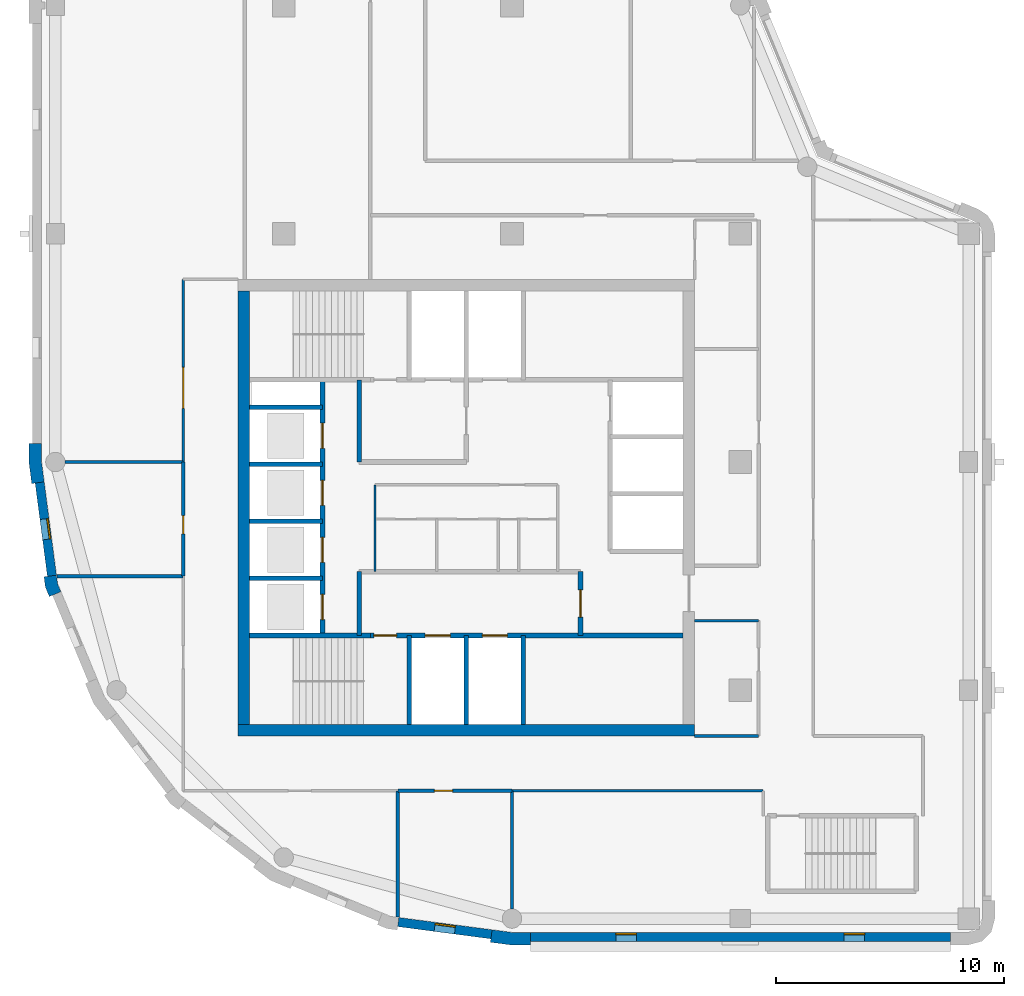
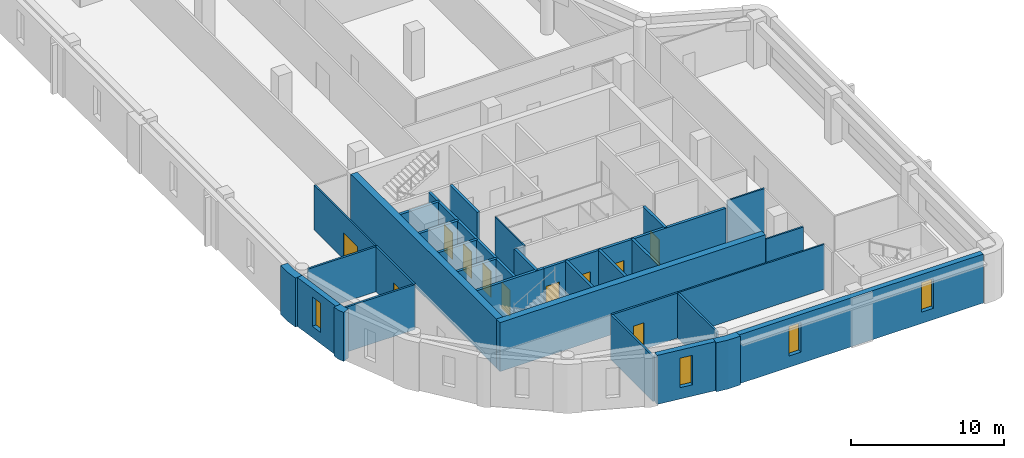
# One storey, part 2 of 8: 32 walls, 11 doors, 4 windows, 15 openings.
"""IFC4 building model written with IfcOpenShell, lengths in metres."""

from ifc_helpers import new_model, si_unit, direction, frame, frame_2d, origin, place, context, subcontext, project, spatial, polyline, rectangle, outline, extrude, material, layer, layer_set, type_object, element, fill, save


model = new_model("IFC4")

# Units and contexts
model_context = context("Model", 3, precision=1e-05, world=origin(), true_north=direction((0.0, 1.0)))
body_context = subcontext(model_context, "Body", "Model", "MODEL_VIEW")
ifc_project = project(units=[si_unit("LENGTHUNIT", "METRE"), si_unit("AREAUNIT", "SQUARE_METRE"), si_unit("VOLUMEUNIT", "CUBIC_METRE"), si_unit("PLANEANGLEUNIT", "RADIAN"), si_unit("MASSUNIT", "GRAM", prefix="KILO")], contexts=[model_context])

# Site, building, storey
site_placement = place(None, origin())
site = spatial("IfcSite", under=ifc_project, at=site_placement, CompositionType="ELEMENT")
building_placement = place(site_placement, origin())
building = spatial("IfcBuilding", under=site, at=building_placement, Name="Qaws Garden Tower", CompositionType="ELEMENT")
storey_placement = place(building_placement, frame((0.0, 0.0, 306.0)))
storey = spatial("IfcBuildingStorey", under=building, at=storey_placement, Name="L74", CompositionType="ELEMENT", Elevation=306.0)

# Wall, openings, windows
ifc_material_1 = material(Name="Clay facing brick masonry", Category="masonry")
ifc_layer_1 = layer(ifc_material_1, 0.39990234375)
ifc_layer_set_1 = layer_set([ifc_layer_1], Name="Clay facing brick masonry")
wall_type_1 = type_object("IfcWallType", Name="Brick infill wall 400", PredefinedType="SOLIDWALL", material=ifc_layer_set_1)
wall_1_placement = place(storey_placement, frame((20.800048828125, -0.800048828125, 0.0), z_axis=(0.0, 0.0, 1.0), x_axis=(1.0, 0.0, 0.0)))
wall_1 = element("IfcWall", 1, at=wall_1_placement, inside=storey, type_object=wall_type_1, Name="E-L74-infill-00", PredefinedType="SOLIDWALL", context=body_context, shape_type="SweptSolid", body=[
    extrude(rectangle(XDim=18.39990234375, YDim=0.39990234375, at=frame_2d((9.199951171875, 0.0))), origin(), (0.0, 0.0, 1.0), 3.89990234375),
])
opening_1_placement = place(wall_1_placement, frame((3.75, 0.0, 0.89990234375)))
opening_1 = element("IfcOpeningElement", 2, at=opening_1_placement, cuts=wall_1, Name="Opening W09", PredefinedType="OPENING", context=body_context, shape_type="SweptSolid", body=[
    extrude(rectangle(XDim=0.89990234375, YDim=2.35009765625, at=frame_2d((0.449951171875, 1.175048828125))), frame((0.0, 0.2099609375, 0.0), z_axis=(0.0, -1.0, 0.0), x_axis=(1.0, 0.0, 0.0)), (0.0, 0.0, 1.0), 0.419921875),
])
opening_2_placement = place(wall_1_placement, frame((13.75, 0.0, 0.89990234375)))
opening_2 = element("IfcOpeningElement", 3, at=opening_2_placement, cuts=wall_1, Name="Opening W09", PredefinedType="OPENING", context=body_context, shape_type="SweptSolid", body=[
    extrude(rectangle(XDim=0.89990234375, YDim=2.35009765625, at=frame_2d((0.449951171875, 1.175048828125))), frame((0.0, 0.2099609375, 0.0), z_axis=(0.0, -1.0, 0.0), x_axis=(1.0, 0.0, 0.0)), (0.0, 0.0, 1.0), 0.419921875),
])
ifc_material_2 = material(Name="Aluminium framed window, clear glazing", Category="aluminium")
window_type = type_object("IfcWindowType", Name="Slit window 900 x 2350", PartitioningType="SINGLE_PANEL", PredefinedType="WINDOW", material=ifc_material_2)
window_1_placement = place(opening_1_placement, origin())
window_1 = element("IfcWindow", 4, at=window_1_placement, inside=storey, type_object=window_type, Name="E-L74-window-00-0", OverallHeight=2.35009765625, OverallWidth=0.89990234375, PartitioningType="SINGLE_PANEL", PredefinedType="WINDOW", context=body_context, shape_type="SweptSolid", body=[
    extrude(rectangle(XDim=0.89990234375, YDim=2.35009765625, at=frame_2d((0.449951171875, 1.175048828125))), frame((0.0, 0.159912109375, 0.0), z_axis=(0.0, -1.0, 0.0), x_axis=(1.0, 0.0, 0.0)), (0.0, 0.0, 1.0), 0.06005859375),
])
fill(opening_1, window_1)
window_2_placement = place(opening_2_placement, origin())
window_2 = element("IfcWindow", 5, at=window_2_placement, inside=storey, type_object=window_type, Name="E-L74-window-01-0", OverallHeight=2.35009765625, OverallWidth=0.89990234375, PartitioningType="SINGLE_PANEL", PredefinedType="WINDOW", context=body_context, shape_type="SweptSolid", body=[
    extrude(rectangle(XDim=0.89990234375, YDim=2.35009765625, at=frame_2d((0.449951171875, 1.175048828125))), frame((0.0, 0.159912109375, 0.0), z_axis=(0.0, -1.0, 0.0), x_axis=(1.0, 0.0, 0.0)), (0.0, 0.0, 1.0), 0.06005859375),
])
fill(opening_2, window_2)

# Wall, opening, window
wall_2_placement = place(storey_placement, frame((-0.688720703125, 19.102294921875, 0.0), z_axis=(0.0, 0.0, 1.0), x_axis=(0.130514280502, -0.991446429508, 0.0)))
wall_2 = element("IfcWall", 6, at=wall_2_placement, inside=storey, type_object=wall_type_1, Name="E-L74-infill-21", PredefinedType="SOLIDWALL", context=body_context, shape_type="SweptSolid", body=[
    extrude(rectangle(XDim=4.120849609375, YDim=0.39990234375, at=frame_2d((2.060546875, 0.0))), origin(), (0.0, 0.0, 1.0), 3.89990234375),
])
opening_3_placement = place(wall_2_placement, frame((1.610595703125, 0.0, 0.89990234375)))
opening_3 = element("IfcOpeningElement", 7, at=opening_3_placement, cuts=wall_2, Name="Opening W09", PredefinedType="OPENING", context=body_context, shape_type="SweptSolid", body=[
    extrude(rectangle(XDim=0.89990234375, YDim=2.35009765625, at=frame_2d((0.449951171875, 1.175048828125))), frame((0.0, 0.2099609375, 0.0), z_axis=(0.0, -1.0, 0.0), x_axis=(1.0, 0.0, 0.0)), (0.0, 0.0, 1.0), 0.419921875),
])
window_3_placement = place(opening_3_placement, origin())
window_3 = element("IfcWindow", 8, at=window_3_placement, inside=storey, type_object=window_type, Name="E-L74-window-21-0", OverallHeight=2.35009765625, OverallWidth=0.89990234375, PartitioningType="SINGLE_PANEL", PredefinedType="WINDOW", context=body_context, shape_type="SweptSolid", body=[
    extrude(rectangle(XDim=0.89990234375, YDim=2.35009765625, at=frame_2d((0.449951171875, 1.175048828125))), frame((0.0, 0.159912109375, 0.0), z_axis=(0.0, -1.0, 0.0), x_axis=(1.0, 0.0, 0.0)), (0.0, 0.0, 1.0), 0.06005859375),
])
fill(opening_3, window_3)

wall_3_placement = place(storey_placement, frame((15.0166015625, -0.15087890625, 0.0), z_axis=(0.0, 0.0, 1.0), x_axis=(0.991446429508, -0.130514280502, 0.0)))
wall_3 = element("IfcWall", 9, at=wall_3_placement, inside=storey, type_object=wall_type_1, Name="E-L74-infill-26", PredefinedType="SOLIDWALL", context=body_context, shape_type="SweptSolid", body=[
    extrude(rectangle(XDim=4.120849609375, YDim=0.39990234375, at=frame_2d((2.060546875, 0.0))), origin(), (0.0, 0.0, 1.0), 3.89990234375),
])
opening_4_placement = place(wall_3_placement, frame((1.610595703125, 0.0, 0.89990234375)))
opening_4 = element("IfcOpeningElement", 10, at=opening_4_placement, cuts=wall_3, Name="Opening W09", PredefinedType="OPENING", context=body_context, shape_type="SweptSolid", body=[
    extrude(rectangle(XDim=0.89990234375, YDim=2.35009765625, at=frame_2d((0.449951171875, 1.175048828125))), frame((0.0, 0.2099609375, 0.0), z_axis=(0.0, -1.0, 0.0), x_axis=(1.0, 0.0, 0.0)), (0.0, 0.0, 1.0), 0.419921875),
])
window_4_placement = place(opening_4_placement, origin())
window_4 = element("IfcWindow", 11, at=window_4_placement, inside=storey, type_object=window_type, Name="E-L74-window-26-0", OverallHeight=2.35009765625, OverallWidth=0.89990234375, PartitioningType="SINGLE_PANEL", PredefinedType="WINDOW", context=body_context, shape_type="SweptSolid", body=[
    extrude(rectangle(XDim=0.89990234375, YDim=2.35009765625, at=frame_2d((0.449951171875, 1.175048828125))), frame((0.0, 0.159912109375, 0.0), z_axis=(0.0, -1.0, 0.0), x_axis=(1.0, 0.0, 0.0)), (0.0, 0.0, 1.0), 0.06005859375),
])
fill(opening_4, window_4)

# Walls
ifc_material_3 = material(Name="Clay facing brick masonry", Category="masonry")
ifc_layer_2 = layer(ifc_material_3, 0.550048828125)
ifc_layer_set_2 = layer_set([ifc_layer_2], Name="Clay facing brick masonry")
wall_type_2 = type_object("IfcWallType", Name="Brick kink pier 550 x 600", PredefinedType="SOLIDWALL", material=ifc_layer_set_2)
placement = place(storey_placement, origin())
element("IfcWall", 12, at=placement, inside=storey, type_object=wall_type_2, Name="E-L74-pier-22", PredefinedType="SOLIDWALL", context=body_context, shape_type="SweptSolid", body=[
    extrude(outline(polyline([(-0.34912109375, 14.990478515625), (-0.497802734375, 14.970947265625), (-0.43896484375, 14.5234375), (-0.26611328125, 14.1064453125), (-0.127685546875, 14.163818359375), (0.241943359375, 14.31689453125), (0.096923828125, 14.6669921875), (0.04736328125, 15.042724609375), (-0.34912109375, 14.990478515625)])), origin(), (0.0, 0.0, 1.0), 3.89990234375),
])
ifc_material_4 = material(Name="Clay facing brick masonry", Category="masonry")
ifc_layer_3 = layer(ifc_material_4, 0.550048828125)
ifc_layer_set_3 = layer_set([ifc_layer_3], Name="Clay facing brick masonry")
wall_type_3 = type_object("IfcWallType", Name="Brick pier 550 x 1600", PredefinedType="SOLIDWALL", material=ifc_layer_set_3)
element("IfcWall", 13, at=placement, inside=storey, type_object=wall_type_3, Name="E-L74-pier-00", PredefinedType="SOLIDWALL", context=body_context, shape_type="SweptSolid", body=[
    extrude(outline(polyline([(19.076416015625, -0.886962890625), (19.056640625, -1.03564453125), (19.924560546875, -1.14990234375), (20.800048828125, -1.14990234375), (20.800048828125, -1.0), (20.800048828125, -0.60009765625), (19.960693359375, -0.60009765625), (19.12841796875, -0.490478515625), (19.076416015625, -0.886962890625)])), origin(), (0.0, 0.0, 1.0), 3.89990234375),
])
element("IfcWall", 14, at=placement, inside=storey, type_object=wall_type_3, Name="E-L74-pier-21", PredefinedType="SOLIDWALL", context=body_context, shape_type="SweptSolid", body=[
    extrude(outline(polyline([(-1.0, 20.800048828125), (-1.14990234375, 20.800048828125), (-1.14990234375, 19.924560546875), (-1.03564453125, 19.056640625), (-0.886962890625, 19.076416015625), (-0.490478515625, 19.12841796875), (-0.60009765625, 19.960693359375), (-0.60009765625, 20.800048828125), (-1.0, 20.800048828125)])), origin(), (0.0, 0.0, 1.0), 3.89990234375),
])
ifc_material_5 = material(Name="Plasterboard")
ifc_layer_4 = layer(ifc_material_5, 0.10009765625)
ifc_layer_set_4 = layer_set([ifc_layer_4], Name="Plasterboard")
wall_type_4 = type_object("IfcWallType", Name="Core partition 100", PredefinedType="PARTITIONING", material=ifc_layer_set_4)
wall_7_placement = place(storey_placement, frame((14.0, 15.199951171875, 0.0), z_axis=(0.0, 0.0, 1.0), x_axis=(0.0, 1.0, 0.0)))
element("IfcWall", 15, at=wall_7_placement, inside=storey, type_object=wall_type_4, Name="Core partition", PredefinedType="PARTITIONING", context=body_context, shape_type="SweptSolid", body=[
    extrude(rectangle(XDim=3.800048828125, YDim=0.10009765625, at=frame_2d((1.89990234375, 0.0))), origin(), (0.0, 0.0, 1.0), 3.580078125),
])
ifc_material_6 = material(Name="Concrete C60", Category="concrete")
ifc_layer_5 = layer(ifc_material_6, 0.199951171875)
ifc_layer_set_5 = layer_set([ifc_layer_5], Name="Concrete C60")
wall_type_5 = type_object("IfcWallType", Name="Core shaft wall 200 C60", PredefinedType="SHEAR", material=ifc_layer_set_5)
wall_8_placement = place(storey_placement, frame((8.5, 12.39990234375, 0.0), z_axis=(0.0, 0.0, 1.0), x_axis=(1.0, 0.0, 0.0)))
element("IfcWall", 16, at=wall_8_placement, inside=storey, type_object=wall_type_5, Name="Shaft wall", PredefinedType="SHEAR", context=body_context, shape_type="SweptSolid", body=[
    extrude(rectangle(XDim=5.300048828125, YDim=0.199951171875, at=frame_2d((2.64990234375, 0.0))), origin(), (0.0, 0.0, 1.0), 3.580078125),
])

# Wall, openings, doors
wall_9_placement = place(storey_placement, frame((13.800048828125, 12.39990234375, 0.0), z_axis=(0.0, 0.0, 1.0), x_axis=(1.0, 0.0, 0.0)))
wall_9 = element("IfcWall", 17, at=wall_9_placement, inside=storey, type_object=wall_type_5, Name="Shaft wall", PredefinedType="SHEAR", context=body_context, shape_type="SweptSolid", body=[
    extrude(rectangle(XDim=13.699951171875, YDim=0.199951171875, at=frame_2d((6.85009765625, 0.0))), origin(), (0.0, 0.0, 1.0), 3.580078125),
])
opening_5_placement = place(wall_9_placement, frame((2.39990234375, 0.0, 0.0)))
opening_5 = element("IfcOpeningElement", 18, at=opening_5_placement, cuts=wall_9, Name="Opening LD06", PredefinedType="OPENING", context=body_context, shape_type="SweptSolid", body=[
    extrude(rectangle(XDim=1.10009765625, YDim=2.10009765625, at=frame_2d((0.550048828125, 1.050048828125))), frame((0.0, 0.10986328125, 0.0), z_axis=(0.0, -1.0, 0.0), x_axis=(1.0, 0.0, 0.0)), (0.0, 0.0, 1.0), 0.219970703125),
])
opening_6_placement = place(wall_9_placement, frame((4.89990234375, 0.0, 0.0)))
opening_6 = element("IfcOpeningElement", 19, at=opening_6_placement, cuts=wall_9, Name="Opening LD07", PredefinedType="OPENING", context=body_context, shape_type="SweptSolid", body=[
    extrude(rectangle(XDim=1.10009765625, YDim=2.10009765625, at=frame_2d((0.550048828125, 1.050048828125))), frame((0.0, 0.10986328125, 0.0), z_axis=(0.0, -1.0, 0.0), x_axis=(1.0, 0.0, 0.0)), (0.0, 0.0, 1.0), 0.219970703125),
])
opening_7_placement = place(wall_9_placement, frame((0.14990234375, 0.0, 0.0)))
opening_7 = element("IfcOpeningElement", 20, at=opening_7_placement, cuts=wall_9, Name="Opening SD10", PredefinedType="OPENING", context=body_context, shape_type="SweptSolid", body=[
    extrude(rectangle(XDim=1.0, YDim=2.10009765625, at=frame_2d((0.5, 1.050048828125))), frame((0.0, 0.10986328125, 0.0), z_axis=(0.0, -1.0, 0.0), x_axis=(1.0, 0.0, 0.0)), (0.0, 0.0, 1.0), 0.219970703125),
])
ifc_material_7 = material(Name="Steel S235", Category="steel")
door_type_1 = type_object("IfcDoorType", Name="Landing door 1100x2100", OperationType="DOUBLE_DOOR_SLIDING", PredefinedType="DOOR", material=ifc_material_7)
door_1_placement = place(opening_5_placement, origin())
door_1 = element("IfcDoor", 21, at=door_1_placement, inside=storey, type_object=door_type_1, Name="Lift FF1 landing door", OperationType="DOUBLE_DOOR_SLIDING", OverallHeight=2.10009765625, OverallWidth=1.10009765625, PredefinedType="DOOR", context=body_context, shape_type="SweptSolid", body=[
    extrude(rectangle(XDim=1.10009765625, YDim=2.10009765625, at=frame_2d((0.550048828125, 1.050048828125))), frame((0.0, 0.02490234375, 0.0), z_axis=(0.0, -1.0, 0.0), x_axis=(1.0, 0.0, 0.0)), (0.0, 0.0, 1.0), 0.050048828125),
])
fill(opening_5, door_1)
door_2_placement = place(opening_6_placement, origin())
door_2 = element("IfcDoor", 22, at=door_2_placement, inside=storey, type_object=door_type_1, Name="Lift FF2 landing door", OperationType="DOUBLE_DOOR_SLIDING", OverallHeight=2.10009765625, OverallWidth=1.10009765625, PredefinedType="DOOR", context=body_context, shape_type="SweptSolid", body=[
    extrude(rectangle(XDim=1.10009765625, YDim=2.10009765625, at=frame_2d((0.550048828125, 1.050048828125))), frame((0.0, 0.02490234375, 0.0), z_axis=(0.0, -1.0, 0.0), x_axis=(1.0, 0.0, 0.0)), (0.0, 0.0, 1.0), 0.050048828125),
])
fill(opening_6, door_2)
ifc_material_8 = material(Name="Steel S235", Category="steel")
door_type_2 = type_object("IfcDoorType", Name="Stair door 1000x2100", OperationType="SINGLE_SWING_RIGHT", PredefinedType="DOOR", material=ifc_material_8)
door_3_placement = place(opening_7_placement, frame((1.0, 0.0, 0.0), z_axis=(0.0, 0.0, 1.0), x_axis=(-1.0, 0.0, 0.0)))
door_3 = element("IfcDoor", 23, at=door_3_placement, inside=storey, type_object=door_type_2, Name="Stair 1 door", OperationType="SINGLE_SWING_LEFT", OverallHeight=2.10009765625, OverallWidth=1.0, PredefinedType="DOOR", context=body_context, shape_type="SweptSolid", body=[
    extrude(rectangle(XDim=1.0, YDim=2.10009765625, at=frame_2d((0.5, 1.050048828125))), frame((0.0, 0.02490234375, 0.0), z_axis=(0.0, -1.0, 0.0), x_axis=(1.0, 0.0, 0.0)), (0.0, 0.0, 1.0), 0.050048828125),
])
fill(opening_7, door_3)

# Walls
for number, where, z_axis, x_axis, name in (
    (24, (8.5, 14.89990234375, 0.0), (0.0, 0.0, 1.0), (1.0, 0.0, 0.0), "Shaft wall"),
    (25, (8.5, 17.39990234375, 0.0), (0.0, 0.0, 1.0), (1.0, 0.0, 0.0), "Shaft wall"),
    (26, (8.5, 19.89990234375, 0.0), (0.0, 0.0, 1.0), (1.0, 0.0, 0.0), "Shaft wall"),
    (27, (8.5, 22.39990234375, 0.0), (0.0, 0.0, 1.0), (1.0, 0.0, 0.0), "Shaft wall"),
):
    element("IfcWall", number, at=place(storey_placement, frame(where, z_axis=z_axis, x_axis=x_axis)), inside=storey, type_object=wall_type_5, Name=name, PredefinedType="SHEAR", context=body_context, shape_type="SweptSolid", body=[
        extrude(rectangle(XDim=3.199951171875, YDim=0.199951171875, at=frame_2d((1.60009765625, 0.0))), origin(), (0.0, 0.0, 1.0), 3.580078125),
    ])

# Wall, openings, doors
wall_10_placement = place(storey_placement, frame((11.699951171875, 12.39990234375, 0.0), z_axis=(0.0, 0.0, 1.0), x_axis=(0.0, 1.0, 0.0)))
wall_10 = element("IfcWall", 28, at=wall_10_placement, inside=storey, type_object=wall_type_5, Name="Shaft wall", PredefinedType="SHEAR", context=body_context, shape_type="SweptSolid", body=[
    extrude(rectangle(XDim=11.2001953125, YDim=0.199951171875, at=frame_2d((5.60009765625, 0.0))), origin(), (0.0, 0.0, 1.0), 3.580078125),
])
opening_8_placement = place(wall_10_placement, frame((0.699951171875, 0.0, 0.0)))
opening_8 = element("IfcOpeningElement", 29, at=opening_8_placement, cuts=wall_10, Name="Opening LD01", PredefinedType="OPENING", context=body_context, shape_type="SweptSolid", body=[
    extrude(rectangle(XDim=1.10009765625, YDim=2.10009765625, at=frame_2d((0.550048828125, 1.050048828125))), frame((0.0, 0.10986328125, 0.0), z_axis=(0.0, -1.0, 0.0), x_axis=(1.0, 0.0, 0.0)), (0.0, 0.0, 1.0), 0.219970703125),
])
opening_9_placement = place(wall_10_placement, frame((3.199951171875, 0.0, 0.0)))
opening_9 = element("IfcOpeningElement", 30, at=opening_9_placement, cuts=wall_10, Name="Opening LD02", PredefinedType="OPENING", context=body_context, shape_type="SweptSolid", body=[
    extrude(rectangle(XDim=1.10009765625, YDim=2.10009765625, at=frame_2d((0.550048828125, 1.050048828125))), frame((0.0, 0.10986328125, 0.0), z_axis=(0.0, -1.0, 0.0), x_axis=(1.0, 0.0, 0.0)), (0.0, 0.0, 1.0), 0.219970703125),
])
opening_10_placement = place(wall_10_placement, frame((5.699951171875, 0.0, 0.0)))
opening_10 = element("IfcOpeningElement", 31, at=opening_10_placement, cuts=wall_10, Name="Opening LD03", PredefinedType="OPENING", context=body_context, shape_type="SweptSolid", body=[
    extrude(rectangle(XDim=1.10009765625, YDim=2.10009765625, at=frame_2d((0.550048828125, 1.050048828125))), frame((0.0, 0.10986328125, 0.0), z_axis=(0.0, -1.0, 0.0), x_axis=(1.0, 0.0, 0.0)), (0.0, 0.0, 1.0), 0.219970703125),
])
opening_11_placement = place(wall_10_placement, frame((8.199951171875, 0.0, 0.0)))
opening_11 = element("IfcOpeningElement", 32, at=opening_11_placement, cuts=wall_10, Name="Opening LD04", PredefinedType="OPENING", context=body_context, shape_type="SweptSolid", body=[
    extrude(rectangle(XDim=1.10009765625, YDim=2.10009765625, at=frame_2d((0.550048828125, 1.050048828125))), frame((0.0, 0.10986328125, 0.0), z_axis=(0.0, -1.0, 0.0), x_axis=(1.0, 0.0, 0.0)), (0.0, 0.0, 1.0), 0.219970703125),
])
door_4_placement = place(opening_8_placement, origin())
door_4 = element("IfcDoor", 33, at=door_4_placement, inside=storey, type_object=door_type_1, Name="Lift W1 landing door", OperationType="DOUBLE_DOOR_SLIDING", OverallHeight=2.10009765625, OverallWidth=1.10009765625, PredefinedType="DOOR", context=body_context, shape_type="SweptSolid", body=[
    extrude(rectangle(XDim=1.10009765625, YDim=2.10009765625, at=frame_2d((0.550048828125, 1.050048828125))), frame((0.0, 0.02490234375, 0.0), z_axis=(0.0, -1.0, 0.0), x_axis=(1.0, 0.0, 0.0)), (0.0, 0.0, 1.0), 0.050048828125),
])
fill(opening_8, door_4)
door_5_placement = place(opening_9_placement, origin())
door_5 = element("IfcDoor", 34, at=door_5_placement, inside=storey, type_object=door_type_1, Name="Lift W2 landing door", OperationType="DOUBLE_DOOR_SLIDING", OverallHeight=2.10009765625, OverallWidth=1.10009765625, PredefinedType="DOOR", context=body_context, shape_type="SweptSolid", body=[
    extrude(rectangle(XDim=1.10009765625, YDim=2.10009765625, at=frame_2d((0.550048828125, 1.050048828125))), frame((0.0, 0.02490234375, 0.0), z_axis=(0.0, -1.0, 0.0), x_axis=(1.0, 0.0, 0.0)), (0.0, 0.0, 1.0), 0.050048828125),
])
fill(opening_9, door_5)
door_6_placement = place(opening_10_placement, origin())
door_6 = element("IfcDoor", 35, at=door_6_placement, inside=storey, type_object=door_type_1, Name="Lift W3 landing door", OperationType="DOUBLE_DOOR_SLIDING", OverallHeight=2.10009765625, OverallWidth=1.10009765625, PredefinedType="DOOR", context=body_context, shape_type="SweptSolid", body=[
    extrude(rectangle(XDim=1.10009765625, YDim=2.10009765625, at=frame_2d((0.550048828125, 1.050048828125))), frame((0.0, 0.02490234375, 0.0), z_axis=(0.0, -1.0, 0.0), x_axis=(1.0, 0.0, 0.0)), (0.0, 0.0, 1.0), 0.050048828125),
])
fill(opening_10, door_6)
door_7_placement = place(opening_11_placement, origin())
door_7 = element("IfcDoor", 36, at=door_7_placement, inside=storey, type_object=door_type_1, Name="Lift W4 landing door", OperationType="DOUBLE_DOOR_SLIDING", OverallHeight=2.10009765625, OverallWidth=1.10009765625, PredefinedType="DOOR", context=body_context, shape_type="SweptSolid", body=[
    extrude(rectangle(XDim=1.10009765625, YDim=2.10009765625, at=frame_2d((0.550048828125, 1.050048828125))), frame((0.0, 0.02490234375, 0.0), z_axis=(0.0, -1.0, 0.0), x_axis=(1.0, 0.0, 0.0)), (0.0, 0.0, 1.0), 0.050048828125),
])
fill(opening_11, door_7)

# Walls
wall_11_placement = place(storey_placement, frame((13.300048828125, 12.39990234375, 0.0), z_axis=(0.0, 0.0, 1.0), x_axis=(0.0, 1.0, 0.0)))
element("IfcWall", 37, at=wall_11_placement, inside=storey, type_object=wall_type_5, Name="Shaft wall", PredefinedType="SHEAR", context=body_context, shape_type="SweptSolid", body=[
    extrude(rectangle(XDim=2.800048828125, YDim=0.199951171875, at=frame_2d((1.39990234375, 0.0))), origin(), (0.0, 0.0, 1.0), 3.580078125),
])
wall_12_placement = place(storey_placement, frame((13.300048828125, 20.0, 0.0), z_axis=(0.0, 0.0, 1.0), x_axis=(0.0, 1.0, 0.0)))
element("IfcWall", 38, at=wall_12_placement, inside=storey, type_object=wall_type_5, Name="Shaft wall", PredefinedType="SHEAR", context=body_context, shape_type="SweptSolid", body=[
    extrude(rectangle(XDim=3.60009765625, YDim=0.199951171875, at=frame_2d((1.800048828125, 0.0))), origin(), (0.0, 0.0, 1.0), 3.580078125),
])
for number, where, z_axis, x_axis, name in (
    (39, (15.5, 8.5, 0.0), (0.0, 0.0, 1.0), (0.0, 1.0, 0.0), "Shaft wall"),
    (40, (18.0, 8.5, 0.0), (0.0, 0.0, 1.0), (0.0, 1.0, 0.0), "Shaft wall"),
    (41, (20.5, 8.5, 0.0), (0.0, 0.0, 1.0), (0.0, 1.0, 0.0), "Shaft wall"),
):
    element("IfcWall", number, at=place(storey_placement, frame(where, z_axis=z_axis, x_axis=x_axis)), inside=storey, type_object=wall_type_5, Name=name, PredefinedType="SHEAR", context=body_context, shape_type="SweptSolid", body=[
        extrude(rectangle(XDim=3.89990234375, YDim=0.199951171875, at=frame_2d((1.949951171875, 0.0))), origin(), (0.0, 0.0, 1.0), 3.580078125),
    ])

# Wall, opening, door
wall_13_placement = place(storey_placement, frame((23.0, 12.39990234375, 0.0), z_axis=(0.0, 0.0, 1.0), x_axis=(0.0, 1.0, 0.0)))
wall_13 = element("IfcWall", 42, at=wall_13_placement, inside=storey, type_object=wall_type_5, Name="Shaft wall", PredefinedType="SHEAR", context=body_context, shape_type="SweptSolid", body=[
    extrude(rectangle(XDim=2.800048828125, YDim=0.199951171875, at=frame_2d((1.39990234375, 0.0))), origin(), (0.0, 0.0, 1.0), 3.580078125),
])
opening_12_placement = place(wall_13_placement, frame((0.800048828125, 0.0, 0.0)))
opening_12 = element("IfcOpeningElement", 43, at=opening_12_placement, cuts=wall_13, Name="Opening FD15", PredefinedType="OPENING", context=body_context, shape_type="SweptSolid", body=[
    extrude(rectangle(XDim=1.199951171875, YDim=2.10009765625, at=frame_2d((0.60009765625, 1.050048828125))), frame((0.0, 0.10986328125, 0.0), z_axis=(0.0, -1.0, 0.0), x_axis=(1.0, 0.0, 0.0)), (0.0, 0.0, 1.0), 0.219970703125),
])
ifc_material_9 = material(Name="Steel S235", Category="steel")
door_type_3 = type_object("IfcDoorType", Name="Lobby door 1200x2100", OperationType="DOUBLE_DOOR_SINGLE_SWING", PredefinedType="DOOR", material=ifc_material_9)
door_8_placement = place(opening_12_placement, origin())
door_8 = element("IfcDoor", 44, at=door_8_placement, inside=storey, type_object=door_type_3, Name="Fire-fighting lobby door", OperationType="DOUBLE_DOOR_SINGLE_SWING", OverallHeight=2.10009765625, OverallWidth=1.199951171875, PredefinedType="DOOR", context=body_context, shape_type="SweptSolid", body=[
    extrude(rectangle(XDim=1.199951171875, YDim=2.10009765625, at=frame_2d((0.60009765625, 1.050048828125))), frame((0.0, 0.02490234375, 0.0), z_axis=(0.0, -1.0, 0.0), x_axis=(1.0, 0.0, 0.0)), (0.0, 0.0, 1.0), 0.050048828125),
])
fill(opening_12, door_8)

# Walls
ifc_material_10 = material(Name="Concrete C60", Category="concrete")
ifc_layer_6 = layer(ifc_material_10, 0.5)
ifc_layer_set_6 = layer_set([ifc_layer_6], Name="Concrete C60")
wall_type_6 = type_object("IfcWallType", Name="Core wall 500 C60", PredefinedType="SHEAR", material=ifc_layer_set_6)
wall_14_placement = place(storey_placement, frame((8.0, 8.25, 0.0), z_axis=(0.0, 0.0, 1.0), x_axis=(1.0, 0.0, 0.0)))
element("IfcWall", 45, at=wall_14_placement, inside=storey, type_object=wall_type_6, Name="Core wall L74 south", PredefinedType="SHEAR", context=body_context, shape_type="SweptSolid", body=[
    extrude(rectangle(XDim=20.0, YDim=0.5, at=frame_2d((10.0, 0.0))), origin(), (0.0, 0.0, 1.0), 3.89990234375),
])
wall_15_placement = place(storey_placement, frame((8.25, 27.5, 0.0), z_axis=(0.0, 0.0, 1.0), x_axis=(0.0, -1.0, 0.0)))
element("IfcWall", 46, at=wall_15_placement, inside=storey, type_object=wall_type_6, Name="Core wall L74 west", PredefinedType="SHEAR", context=body_context, shape_type="SweptSolid", body=[
    extrude(rectangle(XDim=19.0, YDim=0.5, at=frame_2d((9.5, 0.0))), origin(), (0.0, 0.0, 1.0), 3.89990234375),
])

# Wall, opening, door
ifc_material_11 = material(Name="Glass and aluminium framing", Category="aluminium")
ifc_layer_7 = layer(ifc_material_11, 0.1201171875)
ifc_layer_set_7 = layer_set([ifc_layer_7], Name="Glass and aluminium framing")
wall_type_7 = type_object("IfcWallType", Name="GLAZED PARTITION 120 EI 30", PredefinedType="PARTITIONING", material=ifc_layer_set_7)
wall_16_placement = place(storey_placement, frame((5.60009765625, 20.0, 0.0), z_axis=(0.0, 0.0, 1.0), x_axis=(0.0, 1.0, 0.0)))
wall_16 = element("IfcWall", 47, at=wall_16_placement, inside=storey, type_object=wall_type_7, Name="O-L74-wall-028", PredefinedType="PARTITIONING", context=body_context, shape_type="SweptSolid", body=[
    extrude(rectangle(XDim=8.0, YDim=0.1201171875, at=frame_2d((4.0, 0.0))), origin(), (0.0, 0.0, 1.0), 3.580078125),
])
opening_13_placement = place(wall_16_placement, frame((2.35009765625, 0.0, 0.0)))
opening_13 = element("IfcOpeningElement", 48, at=opening_13_placement, cuts=wall_16, Name="Opening C714", PredefinedType="OPENING", context=body_context, shape_type="SweptSolid", body=[
    extrude(rectangle(XDim=1.800048828125, YDim=2.10009765625, at=frame_2d((0.89990234375, 1.050048828125))), frame((0.0, 0.070068359375, 0.0), z_axis=(0.0, -1.0, 0.0), x_axis=(1.0, 0.0, 0.0)), (0.0, 0.0, 1.0), 0.14013671875),
])
ifc_material_12 = material(Name="Timber door leaf", Category="wood")
door_type_4 = type_object("IfcDoorType", Name="DOUBLE DOOR 1800 X 2100", OperationType="DOUBLE_DOOR_SINGLE_SWING", PredefinedType="DOOR", material=ifc_material_12)
door_9_placement = place(opening_13_placement, origin())
door_9 = element("IfcDoor", 49, at=door_9_placement, inside=storey, type_object=door_type_4, Name="O-L74-door-014", OperationType="DOUBLE_DOOR_SINGLE_SWING", OverallHeight=2.10009765625, OverallWidth=1.800048828125, PredefinedType="DOOR", context=body_context, shape_type="SweptSolid", body=[
    extrude(rectangle(XDim=1.800048828125, YDim=2.10009765625, at=frame_2d((0.89990234375, 1.050048828125))), frame((0.0, 0.02490234375, 0.0), z_axis=(0.0, -1.0, 0.0), x_axis=(1.0, 0.0, 0.0)), (0.0, 0.0, 1.0), 0.050048828125),
])
fill(opening_13, door_9)

# Walls
wall_17_placement = place(storey_placement, frame((20.0, 5.60009765625, 0.0), z_axis=(0.0, 0.0, 1.0), x_axis=(1.0, 0.0, 0.0)))
element("IfcWall", 50, at=wall_17_placement, inside=storey, type_object=wall_type_7, Name="O-L74-wall-037", PredefinedType="PARTITIONING", context=body_context, shape_type="SweptSolid", body=[
    extrude(rectangle(XDim=11.0, YDim=0.1201171875, at=frame_2d((5.5, 0.0))), origin(), (0.0, 0.0, 1.0), 3.580078125),
])
for number, where, z_axis, x_axis, name in (
    (51, (28.0, 8.0, 0.0), (0.0, 0.0, 1.0), (1.0, 0.0, 0.0), "O-L74-wall-038"),
    (52, (28.0, 13.050048828125, 0.0), (0.0, 0.0, 1.0), (1.0, 0.0, 0.0), "O-L74-wall-040"),
):
    element("IfcWall", number, at=place(storey_placement, frame(where, z_axis=z_axis, x_axis=x_axis)), inside=storey, type_object=wall_type_7, Name=name, PredefinedType="PARTITIONING", context=body_context, shape_type="SweptSolid", body=[
        extrude(rectangle(XDim=2.800048828125, YDim=0.1201171875, at=frame_2d((1.39990234375, 0.0))), origin(), (0.0, 0.0, 1.0), 3.580078125),
    ])

# Wall, opening, door
ifc_material_13 = material(Name="Gypsum board partition")
ifc_layer_8 = layer(ifc_material_13, 0.14990234375)
ifc_layer_set_8 = layer_set([ifc_layer_8], Name="Gypsum board partition")
wall_type_8 = type_object("IfcWallType", Name="PARTITION 150 EI 60", PredefinedType="PARTITIONING", material=ifc_layer_set_8)
wall_18_placement = place(storey_placement, frame((5.60009765625, 15.0, 0.0), z_axis=(0.0, 0.0, 1.0), x_axis=(0.0, 1.0, 0.0)))
wall_18 = element("IfcWall", 53, at=wall_18_placement, inside=storey, type_object=wall_type_8, Name="O-L74-wall-004", PredefinedType="PARTITIONING", context=body_context, shape_type="SweptSolid", body=[
    extrude(rectangle(XDim=5.0, YDim=0.14990234375, at=frame_2d((2.5, 0.0))), origin(), (0.0, 0.0, 1.0), 3.580078125),
])
opening_14_placement = place(wall_18_placement, frame((1.85009765625, 0.0, 0.0)))
opening_14 = element("IfcOpeningElement", 54, at=opening_14_placement, cuts=wall_18, Name="Opening C702", PredefinedType="OPENING", context=body_context, shape_type="SweptSolid", body=[
    extrude(rectangle(XDim=0.800048828125, YDim=2.10009765625, at=frame_2d((0.39990234375, 1.050048828125))), frame((0.0, 0.0849609375, 0.0), z_axis=(0.0, -1.0, 0.0), x_axis=(1.0, 0.0, 0.0)), (0.0, 0.0, 1.0), 0.169921875),
])
ifc_material_14 = material(Name="Timber door leaf", Category="wood")
door_type_5 = type_object("IfcDoorType", Name="STORE DOOR 800 X 2100", OperationType="SINGLE_SWING_LEFT", PredefinedType="DOOR", material=ifc_material_14)
door_10_placement = place(opening_14_placement, origin())
door_10 = element("IfcDoor", 55, at=door_10_placement, inside=storey, type_object=door_type_5, Name="O-L74-door-002", OperationType="SINGLE_SWING_RIGHT", OverallHeight=2.10009765625, OverallWidth=0.800048828125, PredefinedType="DOOR", context=body_context, shape_type="SweptSolid", body=[
    extrude(rectangle(XDim=0.800048828125, YDim=2.10009765625, at=frame_2d((0.39990234375, 1.050048828125))), frame((0.0, 0.02490234375, 0.0), z_axis=(0.0, -1.0, 0.0), x_axis=(1.0, 0.0, 0.0)), (0.0, 0.0, 1.0), 0.050048828125),
])
fill(opening_14, door_10)

# Walls
wall_19_placement = place(storey_placement, frame((15.0, 0.06298828125, 0.0), z_axis=(0.0, 0.0, 1.0), x_axis=(0.0, 1.0, 0.0)))
element("IfcWall", 56, at=wall_19_placement, inside=storey, type_object=wall_type_8, Name="O-L74-wall-007", PredefinedType="PARTITIONING", context=body_context, shape_type="SweptSolid", body=[
    extrude(rectangle(XDim=5.537109375, YDim=0.14990234375, at=frame_2d((2.7685546875, 0.0))), origin(), (0.0, 0.0, 1.0), 3.580078125),
])
wall_20_placement = place(storey_placement, frame((20.0, 0.425048828125, 0.0), z_axis=(0.0, 0.0, 1.0), x_axis=(0.0, 1.0, 0.0)))
element("IfcWall", 57, at=wall_20_placement, inside=storey, type_object=wall_type_8, Name="O-L74-wall-009", PredefinedType="PARTITIONING", context=body_context, shape_type="SweptSolid", body=[
    extrude(rectangle(XDim=5.175048828125, YDim=0.14990234375, at=frame_2d((2.58740234375, 0.0))), origin(), (0.0, 0.0, 1.0), 3.580078125),
])

# Wall, opening, door
wall_21_placement = place(storey_placement, frame((15.0, 5.60009765625, 0.0), z_axis=(0.0, 0.0, 1.0), x_axis=(1.0, 0.0, 0.0)))
wall_21 = element("IfcWall", 58, at=wall_21_placement, inside=storey, type_object=wall_type_8, Name="O-L74-wall-015", PredefinedType="PARTITIONING", context=body_context, shape_type="SweptSolid", body=[
    extrude(rectangle(XDim=5.0, YDim=0.14990234375, at=frame_2d((2.5, 0.0))), origin(), (0.0, 0.0, 1.0), 3.580078125),
])
opening_15_placement = place(wall_21_placement, frame((1.60009765625, 0.0, 0.0)))
opening_15 = element("IfcOpeningElement", 59, at=opening_15_placement, cuts=wall_21, Name="Opening C709", PredefinedType="OPENING", context=body_context, shape_type="SweptSolid", body=[
    extrude(rectangle(XDim=0.800048828125, YDim=2.10009765625, at=frame_2d((0.39990234375, 1.050048828125))), frame((0.0, 0.0849609375, 0.0), z_axis=(0.0, -1.0, 0.0), x_axis=(1.0, 0.0, 0.0)), (0.0, 0.0, 1.0), 0.169921875),
])
door_11_placement = place(opening_15_placement, frame((0.800048828125, 0.0, 0.0), z_axis=(0.0, 0.0, 1.0), x_axis=(-1.0, 0.0, 0.0)))
door_11 = element("IfcDoor", 60, at=door_11_placement, inside=storey, type_object=door_type_5, Name="O-L74-door-009", OperationType="SINGLE_SWING_LEFT", OverallHeight=2.10009765625, OverallWidth=0.800048828125, PredefinedType="DOOR", context=body_context, shape_type="SweptSolid", body=[
    extrude(rectangle(XDim=0.800048828125, YDim=2.10009765625, at=frame_2d((0.39990234375, 1.050048828125))), frame((0.0, 0.02490234375, 0.0), z_axis=(0.0, -1.0, 0.0), x_axis=(1.0, 0.0, 0.0)), (0.0, 0.0, 1.0), 0.050048828125),
])
fill(opening_15, door_11)

# Walls
wall_22_placement = place(storey_placement, frame((0.06298828125, 15.0, 0.0), z_axis=(0.0, 0.0, 1.0), x_axis=(1.0, 0.0, 0.0)))
element("IfcWall", 61, at=wall_22_placement, inside=storey, type_object=wall_type_8, Name="O-L74-wall-016", PredefinedType="PARTITIONING", context=body_context, shape_type="SweptSolid", body=[
    extrude(rectangle(XDim=5.537109375, YDim=0.14990234375, at=frame_2d((2.7685546875, 0.0))), origin(), (0.0, 0.0, 1.0), 3.580078125),
])
wall_23_placement = place(storey_placement, frame((0.425048828125, 20.0, 0.0), z_axis=(0.0, 0.0, 1.0), x_axis=(1.0, 0.0, 0.0)))
element("IfcWall", 62, at=wall_23_placement, inside=storey, type_object=wall_type_8, Name="O-L74-wall-018", PredefinedType="PARTITIONING", context=body_context, shape_type="SweptSolid", body=[
    extrude(rectangle(XDim=5.175048828125, YDim=0.14990234375, at=frame_2d((2.58740234375, 0.0))), origin(), (0.0, 0.0, 1.0), 3.580078125),
])

save(model, "model.ifc")
